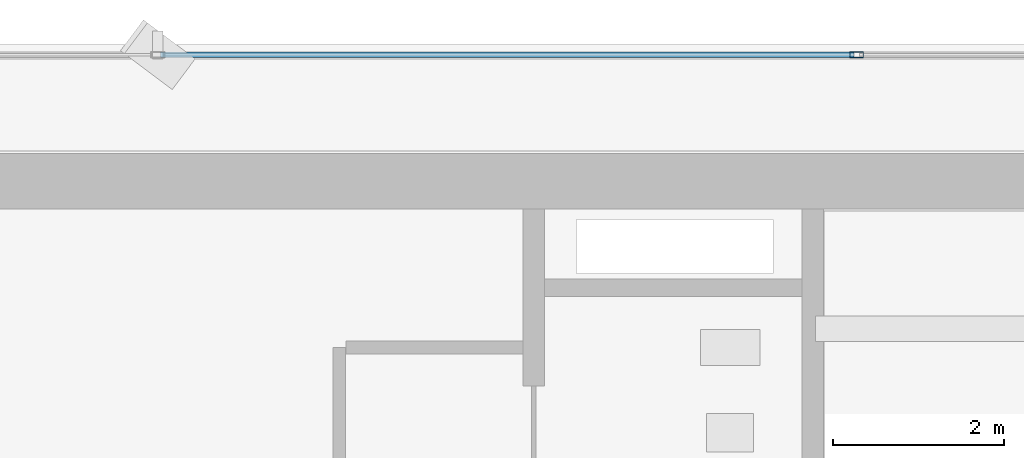
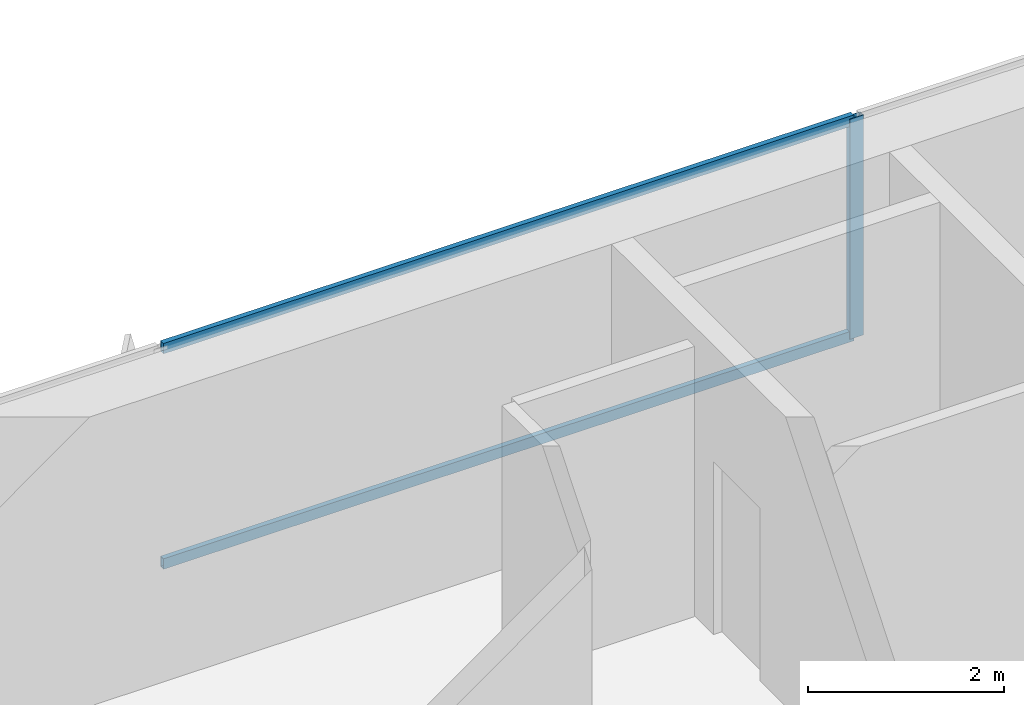
# One storey, part 25 of 37: 3 members, 1 element without a shape of its own.
"""IFC4 building model written with IfcOpenShell, lengths in metres."""

import ifcopenshell
import ifcopenshell.guid

model = None  # the IFC model being written
_history = None  # IfcOwnerHistory: only IFC2X3 demands one
_inside = {}  # id of a spatial element -> (the spatial element, [elements in it])
_under = {}  # id of a project, library or spatial element -> (it, [spatial elements below it])
_declared = {}  # id of a project -> (the project, [libraries it declares])
_typed = {}  # id of a type object -> (the type object, [elements of that type])
_made_of = {}  # id of a material, layer set ... -> (it, [elements and type objects made of it])


def new_model(schema):
    """Start an empty IFC model of exactly this schema.

    Asked for "IFC4X3", IfcOpenShell would pick the latest addendum, in which some entities
    have other attributes; the version numbers below select the first issue.
    IFC2X3 requires an IfcOwnerHistory on every rooted entity: one is made here for all.
    """
    global model, _history
    if schema == "IFC4X3":
        model = ifcopenshell.file(schema_version=(4, 3, 0, 0))
    else:
        model = ifcopenshell.file(schema=schema)
    _inside.clear()
    _under.clear()
    _declared.clear()
    _typed.clear()
    _made_of.clear()
    _history = None
    if model.schema == "IFC2X3":
        org = make("IfcOrganization", Name="unknown")
        user = make(
            "IfcPersonAndOrganization",
            ThePerson=make("IfcPerson", FamilyName="unknown"),
            TheOrganization=org,
        )
        app = make(
            "IfcApplication",
            ApplicationDeveloper=org,
            Version="unknown",
            ApplicationFullName="unknown",
            ApplicationIdentifier="unknown",
        )
        _history = make(
            "IfcOwnerHistory",
            OwningUser=user,
            OwningApplication=app,
            ChangeAction="ADDED",
            CreationDate=0,
        )
    return model


def make(cls, **values):
    """One entity of the class cls with the attributes given. An attribute that is None is left unset."""
    return model.create_entity(
        cls, **{name: value for name, value in values.items() if value is not None}
    )


def rooted(cls, **values):
    """An entity with a GlobalId (a new one), such as an element, a storey or a relation."""
    return make(cls, GlobalId=ifcopenshell.guid.new(), OwnerHistory=_history, **values)


def si_unit(unit_type, name, prefix=None):
    """IfcSIUnit, for example si_unit("LENGTHUNIT", "METRE", prefix="MILLI")."""
    return make("IfcSIUnit", UnitType=unit_type, Prefix=prefix, Name=name)


def assignment(units):
    """IfcUnitAssignment: the units of a project."""
    return None if units is None else make("IfcUnitAssignment", Units=units)


def point(xyz):
    """IfcCartesianPoint."""
    return None if xyz is None else make("IfcCartesianPoint", Coordinates=xyz)


def direction(xyz):
    """IfcDirection."""
    return None if xyz is None else make("IfcDirection", DirectionRatios=xyz)


def frame(location, z_axis=None, x_axis=None):
    """IfcAxis2Placement3D, a coordinate frame: its origin and axes. An axis left out is left unset."""
    return make(
        "IfcAxis2Placement3D",
        Location=point(location),
        Axis=direction(z_axis),
        RefDirection=direction(x_axis),
    )


def frame_2d(location, x_axis=None):
    """IfcAxis2Placement2D, a coordinate frame in the plane: its origin and x axis."""
    return make(
        "IfcAxis2Placement2D", Location=point(location), RefDirection=direction(x_axis)
    )


def origin():
    """The frame at (0, 0, 0) with its axes left unset."""
    return frame((0.0, 0.0, 0.0))


def origin_2d():
    """The frame at (0, 0) in the plane with its x axis left unset."""
    return frame_2d((0.0, 0.0))


def place(relative_to, where):
    """IfcLocalPlacement: puts the frame where relative to a parent placement (None: the world)."""
    return make(
        "IfcLocalPlacement", PlacementRelTo=relative_to, RelativePlacement=where
    )


def context(
    kind, dimensions, precision=None, world=None, true_north=None, identifier=None
):
    """IfcGeometricRepresentationContext, for example the 3D "Model" context."""
    return make(
        "IfcGeometricRepresentationContext",
        ContextIdentifier=identifier,
        ContextType=kind,
        CoordinateSpaceDimension=dimensions,
        Precision=precision,
        WorldCoordinateSystem=world,
        TrueNorth=true_north,
    )


def subcontext(parent, identifier, kind, view, scale=None):
    """IfcGeometricRepresentationSubContext, for example "Body" below "Model"."""
    return make(
        "IfcGeometricRepresentationSubContext",
        ContextIdentifier=identifier,
        ContextType=kind,
        ParentContext=parent,
        TargetScale=scale,
        TargetView=view,
    )


def project(units=None, contexts=None):
    """IfcProject with its units and contexts."""
    return rooted(
        "IfcProject",
        Name="project",
        RepresentationContexts=contexts,
        UnitsInContext=assignment(units),
    )


def spatial(cls, under=None, at=None, **own):
    """A site, building, storey or space (cls), placed at a placement, below another one or the project."""
    s = rooted(cls, ObjectPlacement=at, **own)
    if under is not None:
        _under.setdefault(under.id(), (under, []))[1].append(s)
    return s


def profile(cls, at=None, kind="AREA", **sizes):
    """A parametric profile (cls). Its sizes go by their IFC names, for example OverallWidth=200.0."""
    return make(cls, ProfileType=kind, Position=at, **sizes)


def hollow_rectangle(**sizes):
    """IfcRectangleHollowProfileDef."""
    return profile("IfcRectangleHollowProfileDef", **sizes)


def extrude(swept, where, along, depth):
    """IfcExtrudedAreaSolid: the profile swept, set in the frame where, extruded along a direction by depth."""
    return make(
        "IfcExtrudedAreaSolid",
        SweptArea=swept,
        Position=where,
        ExtrudedDirection=direction(along),
        Depth=depth,
    )


def shape(context_of_items, identifier, shape_type, items):
    """IfcShapeRepresentation: the items that make up one representation, for example the "Body"."""
    return make(
        "IfcShapeRepresentation",
        ContextOfItems=context_of_items,
        RepresentationIdentifier=identifier,
        RepresentationType=shape_type,
        Items=items,
    )


def source(mapping_origin, context_of_items, identifier, shape_type, items):
    """IfcRepresentationMap: a shape defined once, which mapped items show again and again."""
    return make(
        "IfcRepresentationMap",
        MappingOrigin=mapping_origin,
        MappedRepresentation=shape(context_of_items, identifier, shape_type, items),
    )


def transform(
    local_origin,
    x_axis=None,
    y_axis=None,
    z_axis=None,
    scale=None,
    scale2=None,
    scale3=None,
    uniform=True,
):
    """IfcCartesianTransformationOperator3D, or its non-uniform kind. x_axis, y_axis, z_axis: its Axis1, 2, 3."""
    if uniform:
        return make(
            "IfcCartesianTransformationOperator3D",
            Axis1=direction(x_axis),
            Axis2=direction(y_axis),
            LocalOrigin=point(local_origin),
            Scale=scale,
            Axis3=direction(z_axis),
        )
    return make(
        "IfcCartesianTransformationOperator3DnonUniform",
        Axis1=direction(x_axis),
        Axis2=direction(y_axis),
        LocalOrigin=point(local_origin),
        Scale=scale,
        Axis3=direction(z_axis),
        Scale2=scale2,
        Scale3=scale3,
    )


def mapped(mapping_source, mapping_target):
    """IfcMappedItem: shows the shape of a source again, moved by a transform."""
    return make(
        "IfcMappedItem", MappingSource=mapping_source, MappingTarget=mapping_target
    )


def material(Name=None, Category=None):
    """IfcMaterial."""
    return make("IfcMaterial", Name=Name, Category=Category)


def layer(
    of_material, thickness, ventilated=None, Name=None, Category=None, Priority=None
):
    """IfcMaterialLayer: one layer of a wall or slab, of a material (None: an air gap)."""
    return make(
        "IfcMaterialLayer",
        Material=of_material,
        LayerThickness=thickness,
        IsVentilated=ventilated,
        Name=Name,
        Category=Category,
        Priority=Priority,
    )


def layer_set(layers, Name=None):
    """IfcMaterialLayerSet."""
    return make("IfcMaterialLayerSet", MaterialLayers=layers, LayerSetName=Name)


def material_profile(
    of_material, cross_section, Name=None, Category=None, Priority=None
):
    """IfcMaterialProfile: a cross section and its material."""
    return make(
        "IfcMaterialProfile",
        Name=Name,
        Material=of_material,
        Profile=cross_section,
        Priority=Priority,
        Category=Category,
    )


def profile_set(profiles, Name=None, composite=None):
    """IfcMaterialProfileSet."""
    return make(
        "IfcMaterialProfileSet",
        Name=Name,
        MaterialProfiles=profiles,
        CompositeProfile=composite,
    )


def made_of(thing, what):
    """Note that an element or type object is made of a material, layer set ...; save() writes the relation."""
    if what is not None:
        _made_of.setdefault(what.id(), (what, []))[1].append(thing)
    return thing


def type_object(cls, material=None, **own):
    """A type object (cls), such as IfcWallType, which elements share."""
    return made_of(rooted(cls, **own), material)


def element(
    cls,
    number,
    at=None,
    inside=None,
    cuts=None,
    type_object=None,
    material=None,
    context=None,
    identifier="Body",
    shape_type=None,
    held_by="IfcProductDefinitionShape",
    body=None,
    shapes=None,
    **own,
):
    """One element of the class cls, such as IfcWall. Its Tag is "e" and its number.

    at: its placement. inside: the storey or other place that contains it. cuts: it is an
    opening in that element (IfcRelVoidsElement). A single representation is given by context,
    identifier, shape_type and body (its items); several are given by shapes. held_by: the class
    of the entity that holds the representations. save() writes the other relations.
    """
    e = rooted(cls, Tag="e%d" % number, ObjectPlacement=at, **own)
    if body is not None:
        shapes = [shape(context, identifier, shape_type, body)]
    if shapes is not None:
        e.Representation = make(held_by, Representations=shapes)
    if inside is not None:
        _inside.setdefault(inside.id(), (inside, []))[1].append(e)
    if cuts is not None:
        rooted(
            "IfcRelVoidsElement", RelatingBuildingElement=cuts, RelatedOpeningElement=e
        )
    if type_object is not None:
        _typed.setdefault(type_object.id(), (type_object, []))[1].append(e)
    return made_of(e, material)


def aggregate(whole, parts):
    """IfcRelAggregates: a whole, such as a stair, and the parts it consists of."""
    return rooted("IfcRelAggregates", RelatingObject=whole, RelatedObjects=parts)


def save(model, path):
    """Write the relations noted so far, then the file.

    IfcRelAggregates (storeys below a building ...), IfcRelContainedInSpatialStructure (elements
    in a storey), IfcRelDefinesByType, IfcRelAssociatesMaterial and IfcRelDeclares: one each for
    every whole, place, type object, material and project.
    """
    for whole, parts in _under.values():
        aggregate(whole, parts)
    for where, things in _inside.values():
        rooted(
            "IfcRelContainedInSpatialStructure",
            RelatedElements=things,
            RelatingStructure=where,
        )
    for kind, things in _typed.values():
        rooted("IfcRelDefinesByType", RelatedObjects=things, RelatingType=kind)
    for what, things in _made_of.values():
        rooted("IfcRelAssociatesMaterial", RelatedObjects=things, RelatingMaterial=what)
    for by, libraries in _declared.values():
        rooted("IfcRelDeclares", RelatingContext=by, RelatedDefinitions=libraries)
    model.write(path)


model = new_model("IFC4")

# Units and contexts
model_context = context("Model", 3, precision=1e-05, world=origin(), true_north=direction((0.0, 1.0)))
body_context = subcontext(model_context, "Body", "Model", "MODEL_VIEW")
ifc_project = project(units=[si_unit("LENGTHUNIT", "METRE"), si_unit("AREAUNIT", "SQUARE_METRE"), si_unit("VOLUMEUNIT", "CUBIC_METRE"), si_unit("PLANEANGLEUNIT", "RADIAN"), si_unit("MASSUNIT", "GRAM", prefix="KILO")], contexts=[model_context])

# Site, building, storey
site_placement = place(None, origin())
site = spatial("IfcSite", under=ifc_project, at=site_placement, CompositionType="ELEMENT")
building_placement = place(site_placement, origin())
building = spatial("IfcBuilding", under=site, at=building_placement, Name="Sumidabori Civic Tower", CompositionType="ELEMENT")
storey_placement = place(building_placement, frame((0.0, 0.0, 110.0)))
storey = spatial("IfcBuildingStorey", under=building, at=storey_placement, Name="L28", CompositionType="ELEMENT", Elevation=110.0)

# Curtain wall, members
ifc_material = material(Name="Anodised Bronze Aluminium AW-6063-T6", Category="aluminium")
ifc_layer = layer(ifc_material, 0.179931640625, Name="Anodised Bronze Aluminium AW-6063-T6")
ifc_layer_set = layer_set([ifc_layer], Name="Anodised Bronze Aluminium AW-6063-T6")
curtain_wall_type = type_object("IfcCurtainWallType", Name="CW-SYS-3", PredefinedType="NOTDEFINED", material=ifc_layer_set)
curtain_wall_placement = place(storey_placement, origin())
curtain_wall = element("IfcCurtainWall", 1, at=curtain_wall_placement, inside=storey, type_object=curtain_wall_type, Name="Curtain Wall CW:L28:R07", PredefinedType="NOTDEFINED")
ifc_material_profile_1 = material_profile(ifc_material, hollow_rectangle(XDim=0.06494140625, YDim=0.159912109375, WallThickness=0.0048828125, at=origin_2d()), Name="ALU MULLION 160x65")
ifc_profile_set_1 = profile_set([ifc_material_profile_1], Name="Anodised Bronze Aluminium AW-6063-T6")
member_type_1 = type_object("IfcMemberType", Name="CW-MUL-160", PredefinedType="MULLION", material=ifc_profile_set_1)
shared_shape_1 = source(origin(), body_context, "Body", "SweptSolid", [
    extrude(hollow_rectangle(XDim=0.06494140625, YDim=0.159912109375, WallThickness=0.0048828125, at=origin_2d()), origin(), (0.0, 0.0, 1.0), 2.739990234375),
])
member_1_placement = place(storey_placement, frame((12.281982421875, 25.280029296875, 0.0), z_axis=(0.0, 0.0, 1.0), x_axis=(0.0, -1.0, 0.0)))
member_1 = element("IfcMember", 2, at=member_1_placement, type_object=member_type_1, Name="CW-3 mullion 2", PredefinedType="MULLION", context=body_context, shape_type="MappedRepresentation", body=[
    mapped(shared_shape_1, transform((0.0, 0.0, 0.0), x_axis=(1.0, 0.0, 0.0), y_axis=(0.0, 1.0, 0.0), z_axis=(0.0, 0.0, 1.0), scale=1.0)),
])
ifc_material_profile_2 = material_profile(ifc_material, hollow_rectangle(XDim=0.06005859375, YDim=0.1298828125, WallThickness=0.0048828125, at=origin_2d()), Name="ALU TRANSOM 130x60")
ifc_profile_set_2 = profile_set([ifc_material_profile_2], Name="Anodised Bronze Aluminium AW-6063-T6")
member_type_2 = type_object("IfcMemberType", Name="CW-TRN-130", PredefinedType="USERDEFINED", material=ifc_profile_set_2)
shared_shape_2 = source(origin(), body_context, "Body", "SweptSolid", [
    extrude(hollow_rectangle(XDim=0.06005859375, YDim=0.1298828125, WallThickness=0.0048828125, at=origin_2d()), origin(), (0.0, 0.0, 1.0), 8.123046875),
])
member_2_placement = place(storey_placement, frame((12.24951171875, 25.280029296875, 0.030029296875), z_axis=(-1.0, 0.0, 0.0), x_axis=(0.0, -1.0, 0.0)))
member_2 = element("IfcMember", 3, at=member_2_placement, type_object=member_type_2, Name="CW-3 transom 2.1", ObjectType="TRANSOM", PredefinedType="USERDEFINED", context=body_context, shape_type="MappedRepresentation", body=[
    mapped(shared_shape_2, transform((0.0, 0.0, 0.0), x_axis=(1.0, 0.0, 0.0), y_axis=(0.0, 1.0, 0.0), z_axis=(0.0, 0.0, 1.0), scale=1.0)),
])
member_3_placement = place(storey_placement, frame((12.24951171875, 25.280029296875, 2.7099609375), z_axis=(-1.0, 0.0, 0.0), x_axis=(0.0, -1.0, 0.0)))
member_3 = element("IfcMember", 4, at=member_3_placement, type_object=member_type_2, Name="CW-3 transom 2.2", ObjectType="TRANSOM", PredefinedType="USERDEFINED", context=body_context, shape_type="MappedRepresentation", body=[
    mapped(shared_shape_2, transform((0.0, 0.0, 0.0), x_axis=(1.0, 0.0, 0.0), y_axis=(0.0, 1.0, 0.0), z_axis=(0.0, 0.0, 1.0), scale=1.0)),
])
aggregate(curtain_wall, [member_1, member_2, member_3])

save(model, "model.ifc")
